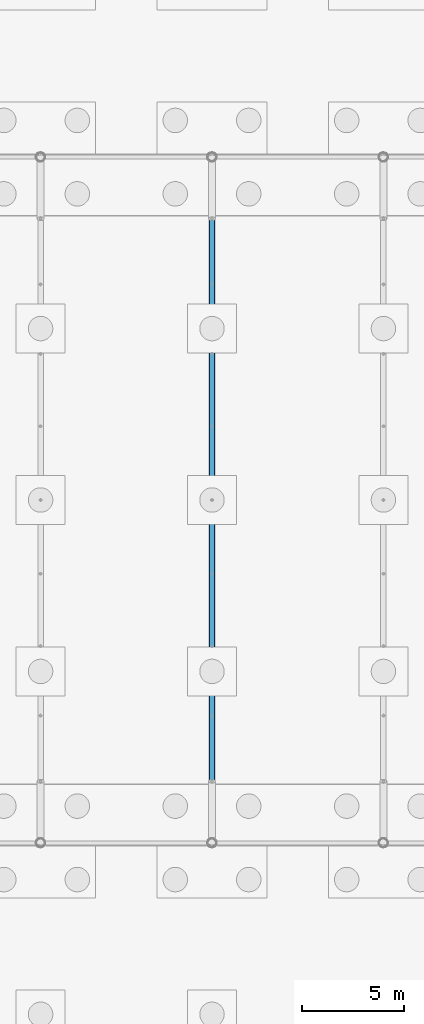
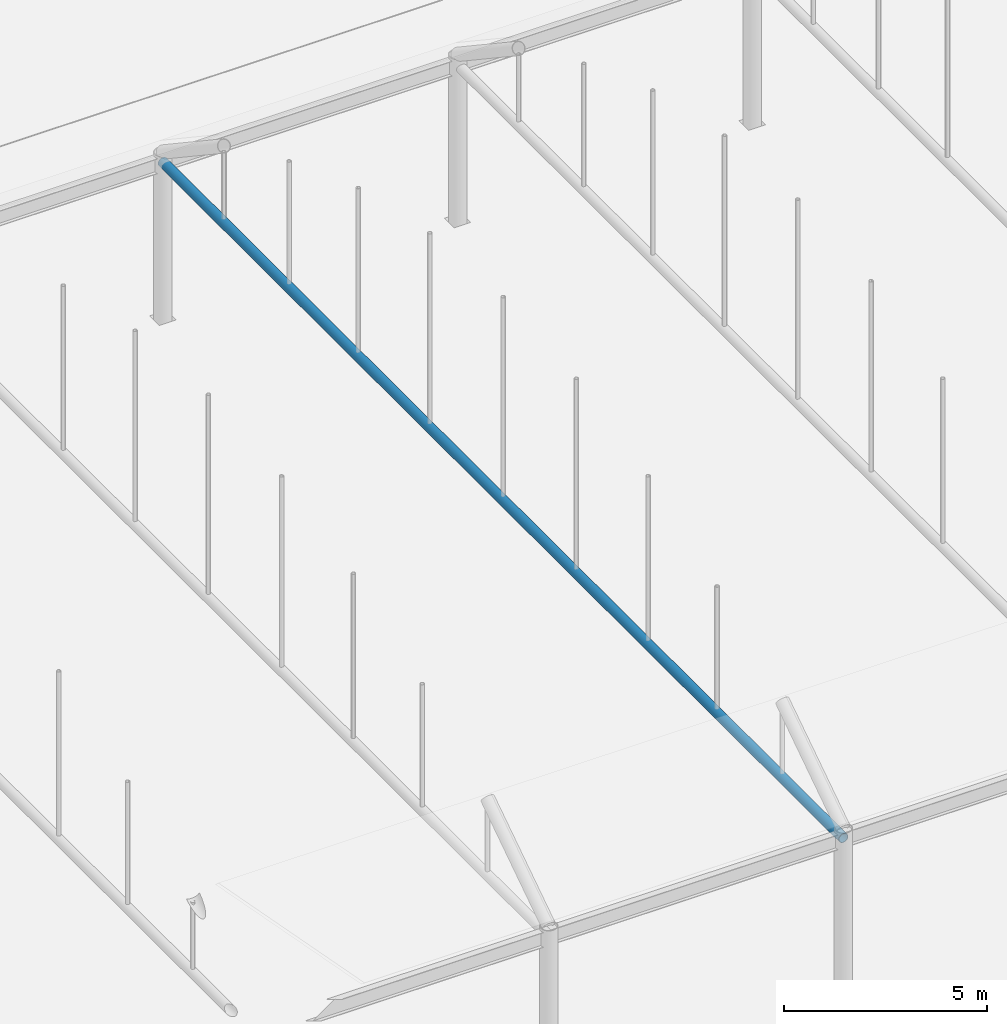
# One storey, part 53 of 212: 1 beam.
"""IFC4 building model written with IfcOpenShell, lengths in metres."""

import ifcopenshell
import ifcopenshell.guid

model = None  # the IFC model being written
_history = None  # IfcOwnerHistory: only IFC2X3 demands one
_inside = {}  # id of a spatial element -> (the spatial element, [elements in it])
_under = {}  # id of a project, library or spatial element -> (it, [spatial elements below it])
_declared = {}  # id of a project -> (the project, [libraries it declares])
_typed = {}  # id of a type object -> (the type object, [elements of that type])
_made_of = {}  # id of a material, layer set ... -> (it, [elements and type objects made of it])


def new_model(schema):
    """Start an empty IFC model of exactly this schema.

    Asked for "IFC4X3", IfcOpenShell would pick the latest addendum, in which some entities
    have other attributes; the version numbers below select the first issue.
    IFC2X3 requires an IfcOwnerHistory on every rooted entity: one is made here for all.
    """
    global model, _history
    if schema == "IFC4X3":
        model = ifcopenshell.file(schema_version=(4, 3, 0, 0))
    else:
        model = ifcopenshell.file(schema=schema)
    _inside.clear()
    _under.clear()
    _declared.clear()
    _typed.clear()
    _made_of.clear()
    _history = None
    if model.schema == "IFC2X3":
        org = make("IfcOrganization", Name="unknown")
        user = make(
            "IfcPersonAndOrganization",
            ThePerson=make("IfcPerson", FamilyName="unknown"),
            TheOrganization=org,
        )
        app = make(
            "IfcApplication",
            ApplicationDeveloper=org,
            Version="unknown",
            ApplicationFullName="unknown",
            ApplicationIdentifier="unknown",
        )
        _history = make(
            "IfcOwnerHistory",
            OwningUser=user,
            OwningApplication=app,
            ChangeAction="ADDED",
            CreationDate=0,
        )
    return model


def make(cls, **values):
    """One entity of the class cls with the attributes given. An attribute that is None is left unset."""
    return model.create_entity(
        cls, **{name: value for name, value in values.items() if value is not None}
    )


def rooted(cls, **values):
    """An entity with a GlobalId (a new one), such as an element, a storey or a relation."""
    return make(cls, GlobalId=ifcopenshell.guid.new(), OwnerHistory=_history, **values)


def si_unit(unit_type, name, prefix=None):
    """IfcSIUnit, for example si_unit("LENGTHUNIT", "METRE", prefix="MILLI")."""
    return make("IfcSIUnit", UnitType=unit_type, Prefix=prefix, Name=name)


def assignment(units):
    """IfcUnitAssignment: the units of a project."""
    return None if units is None else make("IfcUnitAssignment", Units=units)


def point(xyz):
    """IfcCartesianPoint."""
    return None if xyz is None else make("IfcCartesianPoint", Coordinates=xyz)


def direction(xyz):
    """IfcDirection."""
    return None if xyz is None else make("IfcDirection", DirectionRatios=xyz)


def frame(location, z_axis=None, x_axis=None):
    """IfcAxis2Placement3D, a coordinate frame: its origin and axes. An axis left out is left unset."""
    return make(
        "IfcAxis2Placement3D",
        Location=point(location),
        Axis=direction(z_axis),
        RefDirection=direction(x_axis),
    )


def frame_2d(location, x_axis=None):
    """IfcAxis2Placement2D, a coordinate frame in the plane: its origin and x axis."""
    return make(
        "IfcAxis2Placement2D", Location=point(location), RefDirection=direction(x_axis)
    )


def origin():
    """The frame at (0, 0, 0) with its axes left unset."""
    return frame((0.0, 0.0, 0.0))


def origin_2d():
    """The frame at (0, 0) in the plane with its x axis left unset."""
    return frame_2d((0.0, 0.0))


def place(relative_to, where):
    """IfcLocalPlacement: puts the frame where relative to a parent placement (None: the world)."""
    return make(
        "IfcLocalPlacement", PlacementRelTo=relative_to, RelativePlacement=where
    )


def context(
    kind, dimensions, precision=None, world=None, true_north=None, identifier=None
):
    """IfcGeometricRepresentationContext, for example the 3D "Model" context."""
    return make(
        "IfcGeometricRepresentationContext",
        ContextIdentifier=identifier,
        ContextType=kind,
        CoordinateSpaceDimension=dimensions,
        Precision=precision,
        WorldCoordinateSystem=world,
        TrueNorth=true_north,
    )


def subcontext(parent, identifier, kind, view, scale=None):
    """IfcGeometricRepresentationSubContext, for example "Body" below "Model"."""
    return make(
        "IfcGeometricRepresentationSubContext",
        ContextIdentifier=identifier,
        ContextType=kind,
        ParentContext=parent,
        TargetScale=scale,
        TargetView=view,
    )


def project(units=None, contexts=None):
    """IfcProject with its units and contexts."""
    return rooted(
        "IfcProject",
        Name="project",
        RepresentationContexts=contexts,
        UnitsInContext=assignment(units),
    )


def spatial(cls, under=None, at=None, **own):
    """A site, building, storey or space (cls), placed at a placement, below another one or the project."""
    s = rooted(cls, ObjectPlacement=at, **own)
    if under is not None:
        _under.setdefault(under.id(), (under, []))[1].append(s)
    return s


def profile(cls, at=None, kind="AREA", **sizes):
    """A parametric profile (cls). Its sizes go by their IFC names, for example OverallWidth=200.0."""
    return make(cls, ProfileType=kind, Position=at, **sizes)


def hollow_circle(**sizes):
    """IfcCircleHollowProfileDef."""
    return profile("IfcCircleHollowProfileDef", **sizes)


def extrude(swept, where, along, depth):
    """IfcExtrudedAreaSolid: the profile swept, set in the frame where, extruded along a direction by depth."""
    return make(
        "IfcExtrudedAreaSolid",
        SweptArea=swept,
        Position=where,
        ExtrudedDirection=direction(along),
        Depth=depth,
    )


def shape(context_of_items, identifier, shape_type, items):
    """IfcShapeRepresentation: the items that make up one representation, for example the "Body"."""
    return make(
        "IfcShapeRepresentation",
        ContextOfItems=context_of_items,
        RepresentationIdentifier=identifier,
        RepresentationType=shape_type,
        Items=items,
    )


def material(Name=None, Category=None):
    """IfcMaterial."""
    return make("IfcMaterial", Name=Name, Category=Category)


def material_profile(
    of_material, cross_section, Name=None, Category=None, Priority=None
):
    """IfcMaterialProfile: a cross section and its material."""
    return make(
        "IfcMaterialProfile",
        Name=Name,
        Material=of_material,
        Profile=cross_section,
        Priority=Priority,
        Category=Category,
    )


def profile_set(profiles, Name=None, composite=None):
    """IfcMaterialProfileSet."""
    return make(
        "IfcMaterialProfileSet",
        Name=Name,
        MaterialProfiles=profiles,
        CompositeProfile=composite,
    )


def made_of(thing, what):
    """Note that an element or type object is made of a material, layer set ...; save() writes the relation."""
    if what is not None:
        _made_of.setdefault(what.id(), (what, []))[1].append(thing)
    return thing


def type_object(cls, material=None, **own):
    """A type object (cls), such as IfcWallType, which elements share."""
    return made_of(rooted(cls, **own), material)


def element(
    cls,
    number,
    at=None,
    inside=None,
    cuts=None,
    type_object=None,
    material=None,
    context=None,
    identifier="Body",
    shape_type=None,
    held_by="IfcProductDefinitionShape",
    body=None,
    shapes=None,
    **own,
):
    """One element of the class cls, such as IfcWall. Its Tag is "e" and its number.

    at: its placement. inside: the storey or other place that contains it. cuts: it is an
    opening in that element (IfcRelVoidsElement). A single representation is given by context,
    identifier, shape_type and body (its items); several are given by shapes. held_by: the class
    of the entity that holds the representations. save() writes the other relations.
    """
    e = rooted(cls, Tag="e%d" % number, ObjectPlacement=at, **own)
    if body is not None:
        shapes = [shape(context, identifier, shape_type, body)]
    if shapes is not None:
        e.Representation = make(held_by, Representations=shapes)
    if inside is not None:
        _inside.setdefault(inside.id(), (inside, []))[1].append(e)
    if cuts is not None:
        rooted(
            "IfcRelVoidsElement", RelatingBuildingElement=cuts, RelatedOpeningElement=e
        )
    if type_object is not None:
        _typed.setdefault(type_object.id(), (type_object, []))[1].append(e)
    return made_of(e, material)


def aggregate(whole, parts):
    """IfcRelAggregates: a whole, such as a stair, and the parts it consists of."""
    return rooted("IfcRelAggregates", RelatingObject=whole, RelatedObjects=parts)


def save(model, path):
    """Write the relations noted so far, then the file.

    IfcRelAggregates (storeys below a building ...), IfcRelContainedInSpatialStructure (elements
    in a storey), IfcRelDefinesByType, IfcRelAssociatesMaterial and IfcRelDeclares: one each for
    every whole, place, type object, material and project.
    """
    for whole, parts in _under.values():
        aggregate(whole, parts)
    for where, things in _inside.values():
        rooted(
            "IfcRelContainedInSpatialStructure",
            RelatedElements=things,
            RelatingStructure=where,
        )
    for kind, things in _typed.values():
        rooted("IfcRelDefinesByType", RelatedObjects=things, RelatingType=kind)
    for what, things in _made_of.values():
        rooted("IfcRelAssociatesMaterial", RelatedObjects=things, RelatingMaterial=what)
    for by, libraries in _declared.values():
        rooted("IfcRelDeclares", RelatingContext=by, RelatedDefinitions=libraries)
    model.write(path)


model = new_model("IFC4")

# Units and contexts
model_context = context("Model", 3, precision=1e-05, world=origin(), true_north=direction((0.0, 1.0)))
body_context = subcontext(model_context, "Body", "Model", "MODEL_VIEW")
ifc_project = project(units=[si_unit("LENGTHUNIT", "METRE"), si_unit("AREAUNIT", "SQUARE_METRE"), si_unit("VOLUMEUNIT", "CUBIC_METRE"), si_unit("PLANEANGLEUNIT", "RADIAN"), si_unit("MASSUNIT", "GRAM", prefix="KILO")], contexts=[model_context])

# Site, building, storey
site_placement = place(None, origin())
site = spatial("IfcSite", under=ifc_project, at=site_placement, CompositionType="ELEMENT")
building_placement = place(site_placement, origin())
building = spatial("IfcBuilding", under=site, at=building_placement, Name="Catenary Quay Ferry Terminal", CompositionType="ELEMENT")
storey_placement = place(building_placement, origin())
storey = spatial("IfcBuildingStorey", under=building, at=storey_placement, Name="L00", CompositionType="ELEMENT", Elevation=0.0)

# Beam
ifc_material = material(Name="Steel S355", Category="steel")
ifc_material_profile = material_profile(ifc_material, hollow_circle(Radius=0.136474609375, WallThickness=0.012451171875, at=origin_2d()), Name="CHS 273x12.5")
ifc_profile_set = profile_set([ifc_material_profile], Name="Steel S355")
beam_type = type_object("IfcBeamType", Name="TB1 CHS 273x12.5", PredefinedType="BEAM", material=ifc_profile_set)
beam_placement = place(storey_placement, frame((50.39990234375, 16.800048828125, 4.699951171875), z_axis=(0.0, 1.0, 0.0), x_axis=(-1.0, 0.0, 0.0)))
element("IfcBeam", 1, at=beam_placement, inside=storey, type_object=beam_type, Name="tie beam CA-05", PredefinedType="BEAM", context=body_context, shape_type="SweptSolid", body=[
    extrude(hollow_circle(Radius=0.136474609375, WallThickness=0.012451171875, at=origin_2d()), origin(), (0.0, 0.0, 1.0), 33.599853515625),
])

save(model, "model.ifc")
